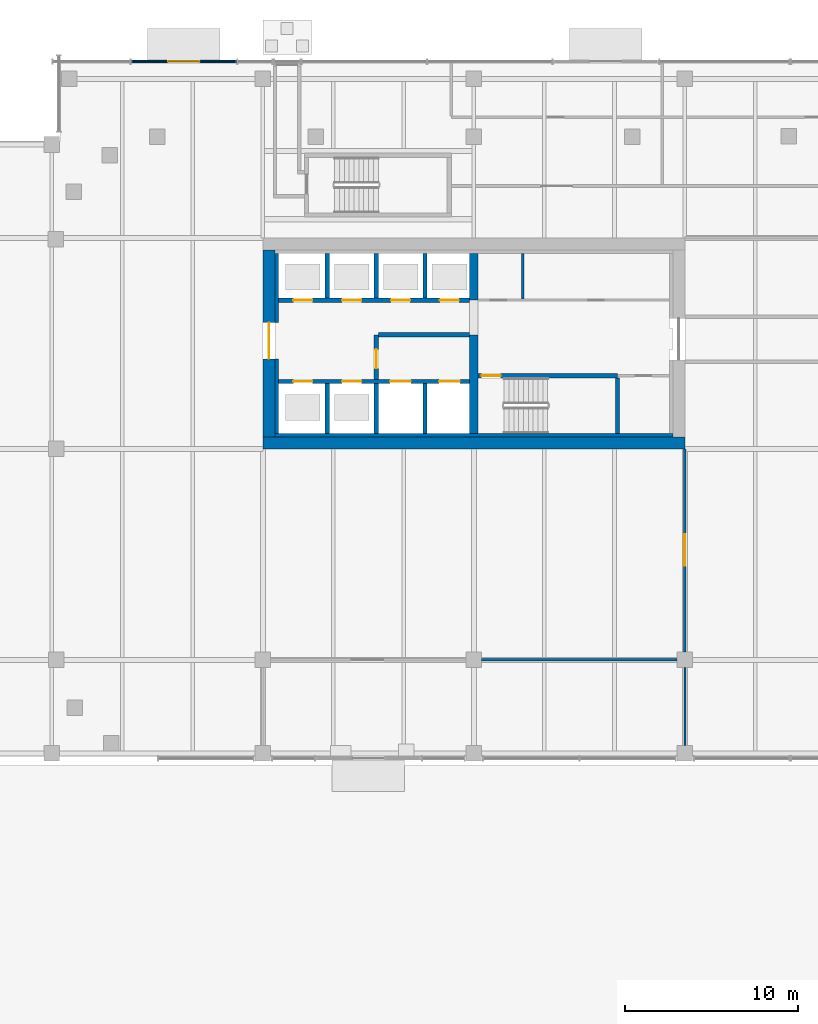
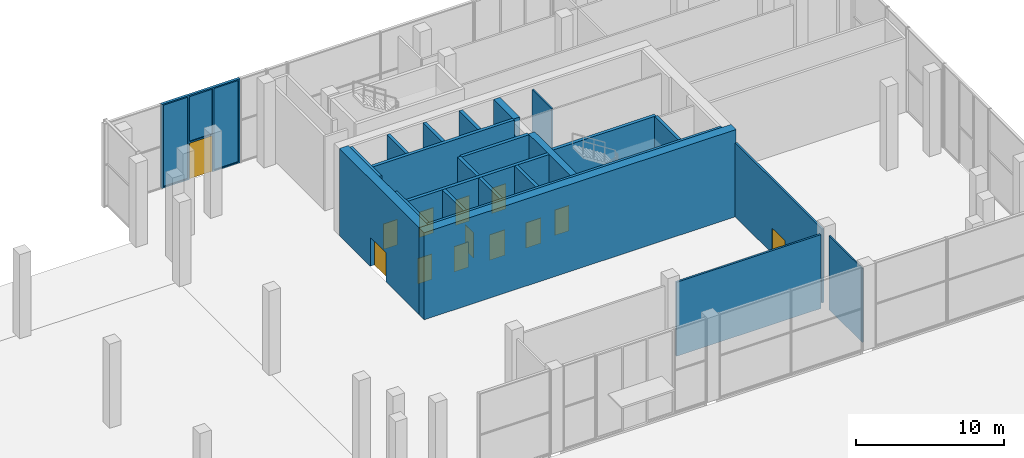
# One storey, part 23 of 36: 24 walls, 13 doors, 3 plates, 16 openings.
"""IFC4 building model written with IfcOpenShell, lengths in metres."""

from ifc_helpers import new_model, si_unit, direction, frame, frame_2d, origin, place, context, subcontext, project, spatial, polyline, rectangle, outline, extrude, source, transform, mapped, material, layer, layer_set, type_object, element, fill, save


model = new_model("IFC4")

# Units and contexts
model_context = context("Model", 3, precision=1e-05, world=origin(), true_north=direction((0.0, 1.0)))
body_context = subcontext(model_context, "Body", "Model", "MODEL_VIEW")
ifc_project = project(units=[si_unit("LENGTHUNIT", "METRE"), si_unit("AREAUNIT", "SQUARE_METRE"), si_unit("VOLUMEUNIT", "CUBIC_METRE"), si_unit("PLANEANGLEUNIT", "RADIAN"), si_unit("MASSUNIT", "GRAM", prefix="KILO")], contexts=[model_context])

# Site, building, storey
site_placement = place(None, origin())
site = spatial("IfcSite", under=ifc_project, at=site_placement, CompositionType="ELEMENT")
building_placement = place(site_placement, origin())
building = spatial("IfcBuilding", under=site, at=building_placement, Name="Tessera Gate Towers", CompositionType="ELEMENT")
storey_placement = place(building_placement, origin())
storey = spatial("IfcBuildingStorey", under=building, at=storey_placement, Name="L00", CompositionType="ELEMENT", Elevation=0.0)

# Wall, openings, doors
ifc_material_1 = material(Name="Concrete C40/50", Category="concrete")
ifc_layer_1 = layer(ifc_material_1, 0.25)
ifc_layer_set_1 = layer_set([ifc_layer_1], Name="CORE ENCLOSURE WALL 250")
wall_type_1 = type_object("IfcWallType", Name="CORE ENCLOSURE WALL 250", PredefinedType="SOLIDWALL", material=ifc_layer_set_1)
wall_1_placement = place(storey_placement, frame((98.5, 40.5, 0.0), z_axis=(0.0, 0.0, 1.0), x_axis=(1.0, 0.0, 0.0)))
wall_1 = element("IfcWall", 1, at=wall_1_placement, inside=storey, type_object=wall_type_1, Name="L00 shaft and stair enclosure wall", PredefinedType="SOLIDWALL", context=body_context, shape_type="SweptSolid", body=[
    extrude(rectangle(XDim=11.050048828125, YDim=0.25, at=frame_2d((5.52490234375, 0.0))), origin(), (0.0, 0.0, 1.0), 7.199951171875),
])
shared_shape_1 = source(origin(), body_context, "Body", "SweptSolid", [
    extrude(rectangle(XDim=1.10009765625, YDim=2.10009765625, at=frame_2d((0.550048828125, 1.050048828125))), frame((0.0, 0.135009765625, 0.0), z_axis=(0.0, -1.0, 0.0), x_axis=(1.0, 0.0, 0.0)), (0.0, 0.0, 1.0), 0.27001953125),
])
opening_1_placement = place(wall_1_placement, frame((0.862548828125, 0.0, 0.0)))
opening_1 = element("IfcOpeningElement", 2, at=opening_1_placement, cuts=wall_1, Name="Opening LD-TL1", PredefinedType="OPENING", context=body_context, shape_type="MappedRepresentation", body=[
    mapped(shared_shape_1, transform((0.0, 0.0, 0.0), scale=1.0)),
])
opening_2_placement = place(wall_1_placement, frame((3.6875, 0.0, 0.0)))
opening_2 = element("IfcOpeningElement", 3, at=opening_2_placement, cuts=wall_1, Name="Opening LD-TL2", PredefinedType="OPENING", context=body_context, shape_type="MappedRepresentation", body=[
    mapped(shared_shape_1, transform((0.0, 0.0, 0.0), scale=1.0)),
])
shared_shape_2 = source(origin(), body_context, "Body", "SweptSolid", [
    extrude(rectangle(XDim=1.199951171875, YDim=2.10009765625, at=frame_2d((0.60009765625, 1.050048828125))), frame((0.0, 0.135009765625, 0.0), z_axis=(0.0, -1.0, 0.0), x_axis=(1.0, 0.0, 0.0)), (0.0, 0.0, 1.0), 0.27001953125),
])
opening_3_placement = place(wall_1_placement, frame((6.46240234375, 0.0, 0.0)))
opening_3 = element("IfcOpeningElement", 4, at=opening_3_placement, cuts=wall_1, Name="Opening LD-FF3", PredefinedType="OPENING", context=body_context, shape_type="MappedRepresentation", body=[
    mapped(shared_shape_2, transform((0.0, 0.0, 0.0), scale=1.0)),
])
opening_4_placement = place(wall_1_placement, frame((9.28759765625, 0.0, 0.0)))
opening_4 = element("IfcOpeningElement", 5, at=opening_4_placement, cuts=wall_1, Name="Opening LD-FF4", PredefinedType="OPENING", context=body_context, shape_type="MappedRepresentation", body=[
    mapped(shared_shape_2, transform((0.0, 0.0, 0.0), scale=1.0)),
])
ifc_material_2 = material(Name="Stainless steel", Category="steel")
door_type_1 = type_object("IfcDoorType", Name="CORE DOOR LD1200 1200x2100", OperationType="DOUBLE_DOOR_SLIDING", PredefinedType="DOOR", material=ifc_material_2)
shared_shape_3 = source(origin(), body_context, "Body", "SweptSolid", [
    extrude(rectangle(XDim=1.199951171875, YDim=2.10009765625, at=frame_2d((0.60009765625, 1.050048828125))), frame((0.0, 0.02490234375, 0.0), z_axis=(0.0, -1.0, 0.0), x_axis=(1.0, 0.0, 0.0)), (0.0, 0.0, 1.0), 0.050048828125),
])
door_1_placement = place(opening_3_placement, origin())
door_1 = element("IfcDoor", 6, at=door_1_placement, inside=storey, type_object=door_type_1, Name="Landing door FF3 L00", OperationType="DOUBLE_DOOR_SLIDING", OverallHeight=2.10009765625, OverallWidth=1.199951171875, PredefinedType="DOOR", context=body_context, shape_type="MappedRepresentation", body=[
    mapped(shared_shape_3, transform((0.0, 0.0, 0.0), scale=1.0)),
])
fill(opening_3, door_1)
door_2_placement = place(opening_4_placement, origin())
door_2 = element("IfcDoor", 7, at=door_2_placement, inside=storey, type_object=door_type_1, Name="Landing door FF4 L00", OperationType="DOUBLE_DOOR_SLIDING", OverallHeight=2.10009765625, OverallWidth=1.199951171875, PredefinedType="DOOR", context=body_context, shape_type="MappedRepresentation", body=[
    mapped(shared_shape_3, transform((0.0, 0.0, 0.0), scale=1.0)),
])
fill(opening_4, door_2)
ifc_material_3 = material(Name="Stainless steel", Category="steel")
door_type_2 = type_object("IfcDoorType", Name="CORE DOOR LD 1100x2100", OperationType="DOUBLE_DOOR_SLIDING", PredefinedType="DOOR", material=ifc_material_3)
shared_shape_4 = source(origin(), body_context, "Body", "SweptSolid", [
    extrude(rectangle(XDim=1.10009765625, YDim=2.10009765625, at=frame_2d((0.550048828125, 1.050048828125))), frame((0.0, 0.02490234375, 0.0), z_axis=(0.0, -1.0, 0.0), x_axis=(1.0, 0.0, 0.0)), (0.0, 0.0, 1.0), 0.050048828125),
])
door_3_placement = place(opening_1_placement, origin())
door_3 = element("IfcDoor", 8, at=door_3_placement, inside=storey, type_object=door_type_2, Name="Landing door TL1 L00", OperationType="DOUBLE_DOOR_SLIDING", OverallHeight=2.10009765625, OverallWidth=1.10009765625, PredefinedType="DOOR", context=body_context, shape_type="MappedRepresentation", body=[
    mapped(shared_shape_4, transform((0.0, 0.0, 0.0), scale=1.0)),
])
fill(opening_1, door_3)
door_4_placement = place(opening_2_placement, origin())
door_4 = element("IfcDoor", 9, at=door_4_placement, inside=storey, type_object=door_type_2, Name="Landing door TL2 L00", OperationType="DOUBLE_DOOR_SLIDING", OverallHeight=2.10009765625, OverallWidth=1.10009765625, PredefinedType="DOOR", context=body_context, shape_type="MappedRepresentation", body=[
    mapped(shared_shape_4, transform((0.0, 0.0, 0.0), scale=1.0)),
])
fill(opening_2, door_4)

wall_2_placement = place(storey_placement, frame((109.550048828125, 45.199951171875, 0.0), z_axis=(0.0, 0.0, 1.0), x_axis=(-1.0, 0.0, 0.0)))
wall_2 = element("IfcWall", 10, at=wall_2_placement, inside=storey, type_object=wall_type_1, Name="L00 shaft and stair enclosure wall", PredefinedType="SOLIDWALL", context=body_context, shape_type="SweptSolid", body=[
    extrude(rectangle(XDim=11.050048828125, YDim=0.25, at=frame_2d((5.52490234375, 0.0))), origin(), (0.0, 0.0, 1.0), 7.199951171875),
])
opening_5_placement = place(wall_2_placement, frame((9.08740234375, 0.0, 0.0)))
opening_5 = element("IfcOpeningElement", 11, at=opening_5_placement, cuts=wall_2, Name="Opening LD-TL3", PredefinedType="OPENING", context=body_context, shape_type="MappedRepresentation", body=[
    mapped(shared_shape_1, transform((0.0, 0.0, 0.0), scale=1.0)),
])
opening_6_placement = place(wall_2_placement, frame((6.262451171875, 0.0, 0.0)))
opening_6 = element("IfcOpeningElement", 12, at=opening_6_placement, cuts=wall_2, Name="Opening LD-TL4", PredefinedType="OPENING", context=body_context, shape_type="MappedRepresentation", body=[
    mapped(shared_shape_1, transform((0.0, 0.0, 0.0), scale=1.0)),
])
opening_7_placement = place(wall_2_placement, frame((3.4375, 0.0, 0.0)))
opening_7 = element("IfcOpeningElement", 13, at=opening_7_placement, cuts=wall_2, Name="Opening LD-TL5", PredefinedType="OPENING", context=body_context, shape_type="MappedRepresentation", body=[
    mapped(shared_shape_1, transform((0.0, 0.0, 0.0), scale=1.0)),
])
opening_8_placement = place(wall_2_placement, frame((0.612548828125, 0.0, 0.0)))
opening_8 = element("IfcOpeningElement", 14, at=opening_8_placement, cuts=wall_2, Name="Opening LD-TL6", PredefinedType="OPENING", context=body_context, shape_type="MappedRepresentation", body=[
    mapped(shared_shape_1, transform((0.0, 0.0, 0.0), scale=1.0)),
])
door_5_placement = place(opening_5_placement, origin())
door_5 = element("IfcDoor", 15, at=door_5_placement, inside=storey, type_object=door_type_2, Name="Landing door TL3 L00", OperationType="DOUBLE_DOOR_SLIDING", OverallHeight=2.10009765625, OverallWidth=1.10009765625, PredefinedType="DOOR", context=body_context, shape_type="MappedRepresentation", body=[
    mapped(shared_shape_4, transform((0.0, 0.0, 0.0), scale=1.0)),
])
fill(opening_5, door_5)
door_6_placement = place(opening_6_placement, origin())
door_6 = element("IfcDoor", 16, at=door_6_placement, inside=storey, type_object=door_type_2, Name="Landing door TL4 L00", OperationType="DOUBLE_DOOR_SLIDING", OverallHeight=2.10009765625, OverallWidth=1.10009765625, PredefinedType="DOOR", context=body_context, shape_type="MappedRepresentation", body=[
    mapped(shared_shape_4, transform((0.0, 0.0, 0.0), scale=1.0)),
])
fill(opening_6, door_6)
door_7_placement = place(opening_7_placement, origin())
door_7 = element("IfcDoor", 17, at=door_7_placement, inside=storey, type_object=door_type_2, Name="Landing door TL5 L00", OperationType="DOUBLE_DOOR_SLIDING", OverallHeight=2.10009765625, OverallWidth=1.10009765625, PredefinedType="DOOR", context=body_context, shape_type="MappedRepresentation", body=[
    mapped(shared_shape_4, transform((0.0, 0.0, 0.0), scale=1.0)),
])
fill(opening_7, door_7)
door_8_placement = place(opening_8_placement, origin())
door_8 = element("IfcDoor", 18, at=door_8_placement, inside=storey, type_object=door_type_2, Name="Landing door TL6 L00", OperationType="DOUBLE_DOOR_SLIDING", OverallHeight=2.10009765625, OverallWidth=1.10009765625, PredefinedType="DOOR", context=body_context, shape_type="MappedRepresentation", body=[
    mapped(shared_shape_4, transform((0.0, 0.0, 0.0), scale=1.0)),
])
fill(opening_8, door_8)

# Wall, opening, door
wall_3_placement = place(storey_placement, frame((118.10009765625, 40.824951171875, 0.0), z_axis=(0.0, 0.0, 1.0), x_axis=(-1.0, 0.0, 0.0)))
wall_3 = element("IfcWall", 19, at=wall_3_placement, inside=storey, type_object=wall_type_1, Name="L00 shaft and stair enclosure wall", PredefinedType="SOLIDWALL", context=body_context, shape_type="SweptSolid", body=[
    extrude(rectangle(XDim=8.050048828125, YDim=0.25, at=frame_2d((4.02490234375, 0.0))), origin(), (0.0, 0.0, 1.0), 7.199951171875),
])
opening_9_placement = place(wall_3_placement, frame((6.75, 0.0, 0.0)))
opening_9 = element("IfcOpeningElement", 20, at=opening_9_placement, cuts=wall_3, Name="Opening SD-ST6-1", PredefinedType="OPENING", context=body_context, shape_type="MappedRepresentation", body=[
    mapped(shared_shape_1, transform((0.0, 0.0, 0.0), scale=1.0)),
])
ifc_material_4 = material(Name="Hollow steel fire door", Category="steel")
door_type_3 = type_object("IfcDoorType", Name="CORE DOOR SD1100 1100x2100", OperationType="NOTDEFINED", PredefinedType="DOOR", material=ifc_material_4)
door_9_placement = place(opening_9_placement, origin())
door_9 = element("IfcDoor", 21, at=door_9_placement, inside=storey, type_object=door_type_3, Name="Stair door", OperationType="SINGLE_SWING_RIGHT", OverallHeight=2.10009765625, OverallWidth=1.10009765625, PredefinedType="DOOR", context=body_context, shape_type="MappedRepresentation", body=[
    mapped(shared_shape_4, transform((0.0, 0.0, 0.0), scale=1.0)),
])
fill(opening_9, door_9)

# Wall
wall_4_placement = place(storey_placement, frame((104.14990234375, 37.5, 0.0), z_axis=(0.0, 0.0, 1.0), x_axis=(0.0, 1.0, 0.0)))
element("IfcWall", 22, at=wall_4_placement, inside=storey, type_object=wall_type_1, Name="L00 shaft and stair enclosure wall", PredefinedType="SOLIDWALL", context=body_context, shape_type="SweptSolid", body=[
    extrude(rectangle(XDim=2.875, YDim=0.25, at=frame_2d((1.4375, 0.0))), origin(), (0.0, 0.0, 1.0), 7.199951171875),
])

# Wall, opening, door
wall_5_placement = place(storey_placement, frame((104.14990234375, 43.199951171875, 0.0), z_axis=(0.0, 0.0, 1.0), x_axis=(0.0, -1.0, 0.0)))
wall_5 = element("IfcWall", 23, at=wall_5_placement, inside=storey, type_object=wall_type_1, Name="L00 shaft and stair enclosure wall", PredefinedType="SOLIDWALL", context=body_context, shape_type="SweptSolid", body=[
    extrude(rectangle(XDim=2.574951171875, YDim=0.25, at=frame_2d((1.28759765625, 0.0))), origin(), (0.0, 0.0, 1.0), 7.199951171875),
])
opening_10_placement = place(wall_5_placement, frame((0.85009765625, 0.0, 0.0)))
opening_10 = element("IfcOpeningElement", 24, at=opening_10_placement, cuts=wall_5, Name="Opening FD-T2-02-03", PredefinedType="OPENING", context=body_context, shape_type="MappedRepresentation", body=[
    mapped(shared_shape_1, transform((0.0, 0.0, 0.0), scale=1.0)),
])
ifc_material_5 = material(Name="Hollow steel fire door", Category="steel")
door_type_4 = type_object("IfcDoorType", Name="CORE DOOR FD 1100x2100", OperationType="NOTDEFINED", PredefinedType="DOOR", material=ifc_material_5)
door_10_placement = place(opening_10_placement, origin())
door_10 = element("IfcDoor", 25, at=door_10_placement, inside=storey, type_object=door_type_4, Name="Fire-fighting lobby door", OperationType="SINGLE_SWING_RIGHT", OverallHeight=2.10009765625, OverallWidth=1.10009765625, PredefinedType="DOOR", context=body_context, shape_type="MappedRepresentation", body=[
    mapped(shared_shape_4, transform((0.0, 0.0, 0.0), scale=1.0)),
])
fill(opening_10, door_10)

# Walls
wall_6_placement = place(storey_placement, frame((104.27490234375, 43.199951171875, 0.0), z_axis=(0.0, 0.0, 1.0), x_axis=(1.0, 0.0, 0.0)))
element("IfcWall", 26, at=wall_6_placement, inside=storey, type_object=wall_type_1, Name="L00 shaft and stair enclosure wall", PredefinedType="SOLIDWALL", context=body_context, shape_type="SweptSolid", body=[
    extrude(rectangle(XDim=5.275146484375, YDim=0.25, at=frame_2d((2.6376953125, 0.0))), origin(), (0.0, 0.0, 1.0), 7.199951171875),
])
wall_7_placement = place(storey_placement, frame((118.10009765625, 37.5, 0.0), z_axis=(0.0, 0.0, 1.0), x_axis=(0.0, 1.0, 0.0)))
element("IfcWall", 27, at=wall_7_placement, inside=storey, type_object=wall_type_1, Name="L00 shaft and stair enclosure wall", PredefinedType="SOLIDWALL", context=body_context, shape_type="SweptSolid", body=[
    extrude(rectangle(XDim=3.199951171875, YDim=0.25, at=frame_2d((1.60009765625, 0.0))), origin(), (0.0, 0.0, 1.0), 7.199951171875),
])
for number, where, z_axis, x_axis, name in (
    (28, (101.324951171875, 37.5, 0.0), (0.0, 0.0, 1.0), (0.0, 1.0, 0.0), "L00 shaft and stair enclosure wall"),
    (29, (106.97509765625, 37.5, 0.0), (0.0, 0.0, 1.0), (0.0, 1.0, 0.0), "L00 shaft and stair enclosure wall"),
):
    element("IfcWall", number, at=place(storey_placement, frame(where, z_axis=z_axis, x_axis=x_axis)), inside=storey, type_object=wall_type_1, Name=name, PredefinedType="SOLIDWALL", context=body_context, shape_type="SweptSolid", body=[
        extrude(rectangle(XDim=2.875, YDim=0.25, at=frame_2d((1.4375, 0.0))), origin(), (0.0, 0.0, 1.0), 7.199951171875),
    ])
for number, where, z_axis, x_axis, name in (
    (30, (101.324951171875, 45.324951171875, 0.0), (0.0, 0.0, 1.0), (0.0, 1.0, 0.0), "L00 shaft and stair enclosure wall"),
    (31, (104.14990234375, 45.324951171875, 0.0), (0.0, 0.0, 1.0), (0.0, 1.0, 0.0), "L00 shaft and stair enclosure wall"),
    (32, (106.97509765625, 45.324951171875, 0.0), (0.0, 0.0, 1.0), (0.0, 1.0, 0.0), "L00 shaft and stair enclosure wall"),
):
    element("IfcWall", number, at=place(storey_placement, frame(where, z_axis=z_axis, x_axis=x_axis)), inside=storey, type_object=wall_type_1, Name=name, PredefinedType="SOLIDWALL", context=body_context, shape_type="SweptSolid", body=[
        extrude(rectangle(XDim=2.574951171875, YDim=0.25, at=frame_2d((1.28759765625, 0.0))), origin(), (0.0, 0.0, 1.0), 7.199951171875),
    ])
ifc_material_6 = material(Name="Gypsum board on steel studs", Category="steel")
ifc_layer_2 = layer(ifc_material_6, 0.1201171875)
ifc_layer_set_2 = layer_set([ifc_layer_2], Name="CORE PARTITION 120")
wall_type_2 = type_object("IfcWallType", Name="CORE PARTITION 120", PredefinedType="PARTITIONING", material=ifc_layer_set_2)
wall_8_placement = place(storey_placement, frame((112.625, 45.260009765625, 0.0), z_axis=(0.0, 0.0, 1.0), x_axis=(0.0, 1.0, 0.0)))
element("IfcWall", 33, at=wall_8_placement, inside=storey, type_object=wall_type_2, Name="L00 core partition", PredefinedType="PARTITIONING", context=body_context, shape_type="SweptSolid", body=[
    extrude(rectangle(XDim=2.639892578125, YDim=0.1201171875, at=frame_2d((1.31982421875, 0.0))), origin(), (0.0, 0.0, 1.0), 6.949951171875),
])
ifc_material_7 = material(Name="Concrete C60/75", Category="concrete")
ifc_layer_3 = layer(ifc_material_7, 0.699951171875)
ifc_layer_set_3 = layer_set([ifc_layer_3], Name="CORE SHEAR WALL 700 C60/75")
wall_type_3 = type_object("IfcWallType", Name="CORE SHEAR WALL 700 C60/75", PredefinedType="SHEAR", material=ifc_layer_set_3)
wall_9_placement = place(storey_placement, frame((122.0, 36.949951171875, 0.0), z_axis=(0.0, 0.0, 1.0), x_axis=(-1.0, 0.0, 0.0)))
element("IfcWall", 34, at=wall_9_placement, inside=storey, type_object=wall_type_3, Name="Core wall S L00", PredefinedType="SHEAR", context=body_context, shape_type="SweptSolid", body=[
    extrude(rectangle(XDim=24.39990234375, YDim=0.699951171875, at=frame_2d((12.199951171875, 0.0))), origin(), (0.0, 0.0, 1.0), 7.199951171875),
])

# Wall, opening, door
wall_10_placement = place(storey_placement, frame((97.949951171875, 37.300048828125, 0.0), z_axis=(0.0, 0.0, 1.0), x_axis=(0.0, 1.0, 0.0)))
wall_10 = element("IfcWall", 35, at=wall_10_placement, inside=storey, type_object=wall_type_3, Name="Core wall W L00", PredefinedType="SHEAR", context=body_context, shape_type="SweptSolid", body=[
    extrude(rectangle(XDim=10.800048828125, YDim=0.699951171875, at=frame_2d((5.39990234375, 0.0))), origin(), (0.0, 0.0, 1.0), 7.199951171875),
])
shared_shape_5 = source(origin(), body_context, "Body", "SweptSolid", [
    extrude(rectangle(XDim=2.10009765625, YDim=2.39990234375, at=frame_2d((1.050048828125, 1.199951171875))), frame((0.0, 0.35986328125, 0.0), z_axis=(0.0, -1.0, 0.0), x_axis=(1.0, 0.0, 0.0)), (0.0, 0.0, 1.0), 0.719970703125),
])
opening_11_placement = place(wall_10_placement, frame((4.5, 0.0, 0.0)))
opening_11 = element("IfcOpeningElement", 36, at=opening_11_placement, cuts=wall_10, Name="Opening DD-T2-02-01", PredefinedType="OPENING", context=body_context, shape_type="MappedRepresentation", body=[
    mapped(shared_shape_5, transform((0.0, 0.0, 0.0), scale=1.0)),
])
ifc_material_8 = material(Name="Hollow steel fire door", Category="steel")
door_type_5 = type_object("IfcDoorType", Name="CORE DOOR DD 2100x2400", OperationType="NOTDEFINED", PredefinedType="DOOR", material=ifc_material_8)
shared_shape_6 = source(origin(), body_context, "Body", "SweptSolid", [
    extrude(rectangle(XDim=2.10009765625, YDim=2.39990234375, at=frame_2d((1.050048828125, 1.199951171875))), frame((0.0, 0.02490234375, 0.0), z_axis=(0.0, -1.0, 0.0), x_axis=(1.0, 0.0, 0.0)), (0.0, 0.0, 1.0), 0.050048828125),
])
door_11_placement = place(opening_11_placement, origin())
door_11 = element("IfcDoor", 37, at=door_11_placement, inside=storey, type_object=door_type_5, Name="Core entrance door", OperationType="DOUBLE_DOOR_SINGLE_SWING", OverallHeight=2.39990234375, OverallWidth=2.10009765625, PredefinedType="DOOR", context=body_context, shape_type="MappedRepresentation", body=[
    mapped(shared_shape_6, transform((0.0, 0.0, 0.0), scale=1.0)),
])
fill(opening_11, door_11)

# Walls
ifc_material_9 = material(Name="Concrete C60/75", Category="concrete")
ifc_layer_4 = layer(ifc_material_9, 0.5)
ifc_layer_set_4 = layer_set([ifc_layer_4], Name="CORE SPINE WALL 500 C60/75")
wall_type_4 = type_object("IfcWallType", Name="CORE SPINE WALL 500 C60/75", PredefinedType="SHEAR", material=ifc_layer_set_4)
wall_11_placement = place(storey_placement, frame((109.800048828125, 37.5, 0.0), z_axis=(0.0, 0.0, 1.0), x_axis=(0.0, 1.0, 0.0)))
element("IfcWall", 38, at=wall_11_placement, inside=storey, type_object=wall_type_4, Name="Core wall spine L00", PredefinedType="SHEAR", context=body_context, shape_type="SweptSolid", body=[
    extrude(rectangle(XDim=5.699951171875, YDim=0.5, at=frame_2d((2.85009765625, 0.0))), origin(), (0.0, 0.0, 1.0), 7.199951171875),
])
wall_12_placement = place(storey_placement, frame((109.800048828125, 45.199951171875, 0.0), z_axis=(0.0, 0.0, 1.0), x_axis=(0.0, 1.0, 0.0)))
element("IfcWall", 39, at=wall_12_placement, inside=storey, type_object=wall_type_4, Name="Core wall spine L00", PredefinedType="SHEAR", context=body_context, shape_type="SweptSolid", body=[
    extrude(rectangle(XDim=2.699951171875, YDim=0.5, at=frame_2d((1.35009765625, 0.0))), origin(), (0.0, 0.0, 1.0), 7.199951171875),
])
ifc_material_10 = material(Name="Concrete C60/75", Category="concrete")
ifc_layer_5 = layer(ifc_material_10, 0.199951171875)
ifc_layer_set_5 = layer_set([ifc_layer_5], Name="CORE WALL THICKENING 200")
wall_type_5 = type_object("IfcWallType", Name="CORE WALL THICKENING 200", PredefinedType="SOLIDWALL", material=ifc_layer_set_5)
wall_13_placement = place(storey_placement, frame((98.300048828125, 37.39990234375, 0.0), z_axis=(0.0, 0.0, 1.0), x_axis=(1.0, 0.0, 0.0)))
element("IfcWall", 40, at=wall_13_placement, inside=storey, type_object=wall_type_5, Name="Core wall thickening S L00", PredefinedType="SOLIDWALL", context=body_context, shape_type="SweptSolid", body=[
    extrude(rectangle(XDim=23.0, YDim=0.199951171875, at=frame_2d((11.5, 0.0))), origin(), (0.0, 0.0, 1.0), 7.199951171875),
])
wall_14_placement = place(storey_placement, frame((98.39990234375, 37.5, 0.0), z_axis=(0.0, 0.0, 1.0), x_axis=(0.0, 1.0, 0.0)))
element("IfcWall", 41, at=wall_14_placement, inside=storey, type_object=wall_type_5, Name="Core wall thickening W L00", PredefinedType="SOLIDWALL", context=body_context, shape_type="SweptSolid", body=[
    extrude(rectangle(XDim=4.300048828125, YDim=0.199951171875, at=frame_2d((2.14990234375, 0.0))), origin(), (0.0, 0.0, 1.0), 7.199951171875),
])
wall_15_placement = place(storey_placement, frame((98.39990234375, 43.89990234375, 0.0), z_axis=(0.0, 0.0, 1.0), x_axis=(0.0, 1.0, 0.0)))
element("IfcWall", 42, at=wall_15_placement, inside=storey, type_object=wall_type_5, Name="Core wall thickening W L00", PredefinedType="SOLIDWALL", context=body_context, shape_type="SweptSolid", body=[
    extrude(rectangle(XDim=4.0, YDim=0.199951171875, at=frame_2d((2.0, 0.0))), origin(), (0.0, 0.0, 1.0), 7.199951171875),
])
ifc_material_11 = material(Name="Gypsum board on steel studs, mineral wool", Category="steel")
ifc_layer_6 = layer(ifc_material_11, 0.14990234375)
ifc_layer_set_6 = layer_set([ifc_layer_6], Name="CORRIDOR WALL 150")
wall_type_6 = type_object("IfcWallType", Name="CORRIDOR WALL 150", PredefinedType="PARTITIONING", material=ifc_layer_set_6)
wall_16_placement = place(storey_placement, frame((110.2509765625, 24.39990234375, 0.0), z_axis=(0.0, 0.0, 1.0), x_axis=(1.0, 0.0, 0.0)))
element("IfcWall", 43, at=wall_16_placement, inside=storey, type_object=wall_type_6, Name="PODIUM-L00-PW-007", PredefinedType="PARTITIONING", context=body_context, shape_type="SweptSolid", body=[
    extrude(rectangle(XDim=11.298095703125, YDim=0.14990234375, at=frame_2d((5.64892578125, 0.0))), origin(), (0.0, 0.0, 1.0), 6.114990234375),
])

# Wall, opening, door
wall_17_placement = place(storey_placement, frame((122.0, 36.60009765625, 0.0), z_axis=(0.0, 0.0, 1.0), x_axis=(0.0, -1.0, 0.0)))
wall_17 = element("IfcWall", 44, at=wall_17_placement, inside=storey, type_object=wall_type_6, Name="PODIUM-L00-PW-009", PredefinedType="PARTITIONING", context=body_context, shape_type="SweptSolid", body=[
    extrude(rectangle(XDim=11.7490234375, YDim=0.14990234375, at=frame_2d((5.87451171875, 0.0))), origin(), (0.0, 0.0, 1.0), 6.114990234375),
])
shared_shape_7 = source(origin(), body_context, "Body", "SweptSolid", [
    extrude(rectangle(XDim=1.800048828125, YDim=2.10009765625, at=frame_2d((0.89990234375, 1.050048828125))), frame((0.0, 0.0849609375, 0.0), z_axis=(0.0, -1.0, 0.0), x_axis=(1.0, 0.0, 0.0)), (0.0, 0.0, 1.0), 0.169921875),
])
opening_12_placement = place(wall_17_placement, frame((4.948974609375, 0.0, 0.0)))
opening_12 = element("IfcOpeningElement", 45, at=opening_12_placement, cuts=wall_17, Name="Opening D2180FD60-P01-03", PredefinedType="OPENING", context=body_context, shape_type="MappedRepresentation", body=[
    mapped(shared_shape_7, transform((0.0, 0.0, 0.0), scale=1.0)),
])
ifc_material_12 = material(Name="Timber door leaf in steel frame", Category="steel")
door_type_6 = type_object("IfcDoorType", Name="TENANCY ENTRANCE DOUBLE DOOR 1800 FD60", OperationType="NOTDEFINED", PredefinedType="DOOR", material=ifc_material_12)
shared_shape_8 = source(origin(), body_context, "Body", "SweptSolid", [
    extrude(rectangle(XDim=1.800048828125, YDim=2.10009765625, at=frame_2d((0.89990234375, 1.050048828125))), frame((0.0, 0.02490234375, 0.0), z_axis=(0.0, -1.0, 0.0), x_axis=(1.0, 0.0, 0.0)), (0.0, 0.0, 1.0), 0.050048828125),
])
door_12_placement = place(opening_12_placement, origin())
door_12 = element("IfcDoor", 46, at=door_12_placement, inside=storey, type_object=door_type_6, Name="PODIUM-L00-PD-009", OperationType="DOUBLE_DOOR_SINGLE_SWING", OverallHeight=2.10009765625, OverallWidth=1.800048828125, PredefinedType="DOOR", context=body_context, shape_type="MappedRepresentation", body=[
    mapped(shared_shape_8, transform((0.0, 0.0, 0.0), scale=1.0)),
])
fill(opening_12, door_12)

# Wall
ifc_material_13 = material(Name="Gypsum board on steel studs", Category="steel")
ifc_layer_7 = layer(ifc_material_13, 0.10009765625)
ifc_layer_set_7 = layer_set([ifc_layer_7], Name="PARTITION 100")
wall_type_7 = type_object("IfcWallType", Name="PARTITION 100", PredefinedType="PARTITIONING", material=ifc_layer_set_7)
wall_18_placement = place(storey_placement, frame((122.0, 19.450927734375, 0.0), z_axis=(0.0, 0.0, 1.0), x_axis=(0.0, 1.0, 0.0)))
element("IfcWall", 47, at=wall_18_placement, inside=storey, type_object=wall_type_7, Name="PODIUM-L00-PW-003", PredefinedType="PARTITIONING", context=body_context, shape_type="SweptSolid", body=[
    extrude(rectangle(XDim=4.498046875, YDim=0.10009765625, at=frame_2d((2.2490234375, 0.0))), origin(), (0.0, 0.0, 1.0), 6.114990234375),
])

# Wall, openings, plates, door
ifc_material_14 = material(Name="Aluminium storefront glazing", Category="aluminium")
ifc_layer_8 = layer(ifc_material_14, 0.199951171875)
ifc_layer_set_8 = layer_set([ifc_layer_8], Name="WS2 storefront bay wall")
wall_type_8 = type_object("IfcWallType", Name="WS2 storefront bay wall", PredefinedType="PARTITIONING", material=ifc_layer_set_8)
wall_19_placement = place(storey_placement, frame((96.074951171875, 59.0, 0.0), z_axis=(0.0, 0.0, 1.0), x_axis=(-1.0, 0.0, 0.0)))
wall_19 = element("IfcWall", 48, at=wall_19_placement, inside=storey, type_object=wall_type_8, Name="Storefront bay wall PD WS2-0004", PredefinedType="PARTITIONING", context=body_context, shape_type="SweptSolid", body=[
    extrude(rectangle(XDim=6.099853515625, YDim=0.199951171875, at=frame_2d((3.0498046875, 0.0))), origin(), (0.0, 0.0, 1.0), 6.949951171875),
])
shared_shape_9 = source(origin(), body_context, "Body", "SweptSolid", [
    extrude(rectangle(XDim=1.800048828125, YDim=3.0, at=frame_2d((0.89990234375, 1.5))), frame((0.0, 0.10986328125, 0.0), z_axis=(0.0, -1.0, 0.0), x_axis=(1.0, 0.0, 0.0)), (0.0, 0.0, 1.0), 0.219970703125),
])
opening_13_placement = place(wall_19_placement, frame((2.14990234375, 0.0, 0.0)))
opening_13 = element("IfcOpeningElement", 49, at=opening_13_placement, cuts=wall_19, Name="Opening D-EP04", PredefinedType="OPENING", context=body_context, shape_type="MappedRepresentation", body=[
    mapped(shared_shape_9, transform((0.0, 0.0, 0.0), scale=1.0)),
])
shared_shape_10 = source(origin(), body_context, "Body", "SweptSolid", [
    extrude(outline(polyline([(0.1201171875, 0.10009765625), (2.030029296875, 0.10009765625), (2.030029296875, 6.85009765625), (0.1201171875, 6.85009765625), (0.1201171875, 0.10009765625)])), frame((0.0, 0.10986328125, 0.0), z_axis=(0.0, -1.0, 0.0), x_axis=(1.0, 0.0, 0.0)), (0.0, 0.0, 1.0), 0.219970703125),
])
opening_14_placement = place(wall_19_placement, origin())
opening_14 = element("IfcOpeningElement", 50, at=opening_14_placement, cuts=wall_19, Name="Opening PD-PL3-0010", PredefinedType="OPENING", context=body_context, shape_type="MappedRepresentation", body=[
    mapped(shared_shape_10, transform((0.0, 0.0, 0.0), scale=1.0)),
])
shared_shape_11 = source(origin(), body_context, "Body", "SweptSolid", [
    extrude(outline(polyline([(4.070068359375, 0.10009765625), (5.97998046875, 0.10009765625), (5.97998046875, 6.85009765625), (4.070068359375, 6.85009765625), (4.070068359375, 0.10009765625)])), frame((0.0, 0.10986328125, 0.0), z_axis=(0.0, -1.0, 0.0), x_axis=(1.0, 0.0, 0.0)), (0.0, 0.0, 1.0), 0.219970703125),
])
opening_15_placement = place(wall_19_placement, origin())
opening_15 = element("IfcOpeningElement", 51, at=opening_15_placement, cuts=wall_19, Name="Opening PD-PL3-0011", PredefinedType="OPENING", context=body_context, shape_type="MappedRepresentation", body=[
    mapped(shared_shape_11, transform((0.0, 0.0, 0.0), scale=1.0)),
])
shared_shape_12 = source(origin(), body_context, "Body", "SweptSolid", [
    extrude(outline(polyline([(2.14990234375, 3.1201171875), (3.949951171875, 3.1201171875), (3.949951171875, 6.85009765625), (2.14990234375, 6.85009765625), (2.14990234375, 3.1201171875)])), frame((0.0, 0.10986328125, 0.0), z_axis=(0.0, -1.0, 0.0), x_axis=(1.0, 0.0, 0.0)), (0.0, 0.0, 1.0), 0.219970703125),
])
opening_16_placement = place(wall_19_placement, origin())
opening_16 = element("IfcOpeningElement", 52, at=opening_16_placement, cuts=wall_19, Name="Opening PD-PL3-0012", PredefinedType="OPENING", context=body_context, shape_type="MappedRepresentation", body=[
    mapped(shared_shape_12, transform((0.0, 0.0, 0.0), scale=1.0)),
])
ifc_material_15 = material(Name="Low-e laminated glass", Category="glass")
ifc_layer_9 = layer(ifc_material_15, 0.06005859375)
ifc_layer_set_9 = layer_set([ifc_layer_9], Name="PL3 storefront pane")
plate_type = type_object("IfcPlateType", Name="PL3 storefront pane", PredefinedType="SHEET", material=ifc_layer_set_9)
shared_shape_13 = source(origin(), body_context, "Body", "SweptSolid", [
    extrude(outline(polyline([(0.1201171875, 0.10009765625), (2.030029296875, 0.10009765625), (2.030029296875, 6.85009765625), (0.1201171875, 6.85009765625), (0.1201171875, 0.10009765625)])), frame((0.0, 0.030029296875, 0.0), z_axis=(0.0, -1.0, 0.0), x_axis=(1.0, 0.0, 0.0)), (0.0, 0.0, 1.0), 0.06005859375),
])
plate_1_placement = place(opening_14_placement, origin())
plate_1 = element("IfcPlate", 53, at=plate_1_placement, inside=storey, type_object=plate_type, Name="Glass pane PD PL3-0010", PredefinedType="SHEET", context=body_context, shape_type="MappedRepresentation", body=[
    mapped(shared_shape_13, transform((0.0, 0.0, 0.0), scale=1.0)),
])
fill(opening_14, plate_1)
shared_shape_14 = source(origin(), body_context, "Body", "SweptSolid", [
    extrude(outline(polyline([(4.070068359375, 0.10009765625), (5.97998046875, 0.10009765625), (5.97998046875, 6.85009765625), (4.070068359375, 6.85009765625), (4.070068359375, 0.10009765625)])), frame((0.0, 0.030029296875, 0.0), z_axis=(0.0, -1.0, 0.0), x_axis=(1.0, 0.0, 0.0)), (0.0, 0.0, 1.0), 0.06005859375),
])
plate_2_placement = place(opening_15_placement, origin())
plate_2 = element("IfcPlate", 54, at=plate_2_placement, inside=storey, type_object=plate_type, Name="Glass pane PD PL3-0011", PredefinedType="SHEET", context=body_context, shape_type="MappedRepresentation", body=[
    mapped(shared_shape_14, transform((0.0, 0.0, 0.0), scale=1.0)),
])
fill(opening_15, plate_2)
shared_shape_15 = source(origin(), body_context, "Body", "SweptSolid", [
    extrude(outline(polyline([(2.14990234375, 3.1201171875), (3.949951171875, 3.1201171875), (3.949951171875, 6.85009765625), (2.14990234375, 6.85009765625), (2.14990234375, 3.1201171875)])), frame((0.0, 0.030029296875, 0.0), z_axis=(0.0, -1.0, 0.0), x_axis=(1.0, 0.0, 0.0)), (0.0, 0.0, 1.0), 0.06005859375),
])
plate_3_placement = place(opening_16_placement, origin())
plate_3 = element("IfcPlate", 55, at=plate_3_placement, inside=storey, type_object=plate_type, Name="Glass pane PD PL3-0012", PredefinedType="SHEET", context=body_context, shape_type="MappedRepresentation", body=[
    mapped(shared_shape_15, transform((0.0, 0.0, 0.0), scale=1.0)),
])
fill(opening_16, plate_3)
ifc_material_16 = material(Name="Aluminium storefront glazing", Category="aluminium")
ifc_layer_10 = layer(ifc_material_16, 0.050048828125)
ifc_layer_set_10 = layer_set([ifc_layer_10], Name="DL1 entrance door")
door_type_7 = type_object("IfcDoorType", Name="DL1 entrance door", OperationType="DOUBLE_DOOR_SINGLE_SWING", PredefinedType="DOOR", material=ifc_layer_set_10)
shared_shape_16 = source(origin(), body_context, "Body", "SweptSolid", [
    extrude(rectangle(XDim=1.800048828125, YDim=3.0, at=frame_2d((0.89990234375, 1.5))), frame((0.0, 0.02490234375, 0.0), z_axis=(0.0, -1.0, 0.0), x_axis=(1.0, 0.0, 0.0)), (0.0, 0.0, 1.0), 0.050048828125),
])
door_13_placement = place(opening_13_placement, origin())
door_13 = element("IfcDoor", 56, at=door_13_placement, inside=storey, type_object=door_type_7, Name="Entrance door D-EP04", OperationType="DOUBLE_DOOR_SINGLE_SWING", OverallHeight=3.0, OverallWidth=1.800048828125, PredefinedType="DOOR", context=body_context, shape_type="MappedRepresentation", body=[
    mapped(shared_shape_16, transform((0.0, 0.0, 0.0), scale=1.0)),
])
fill(opening_13, door_13)

save(model, "model.ifc")
